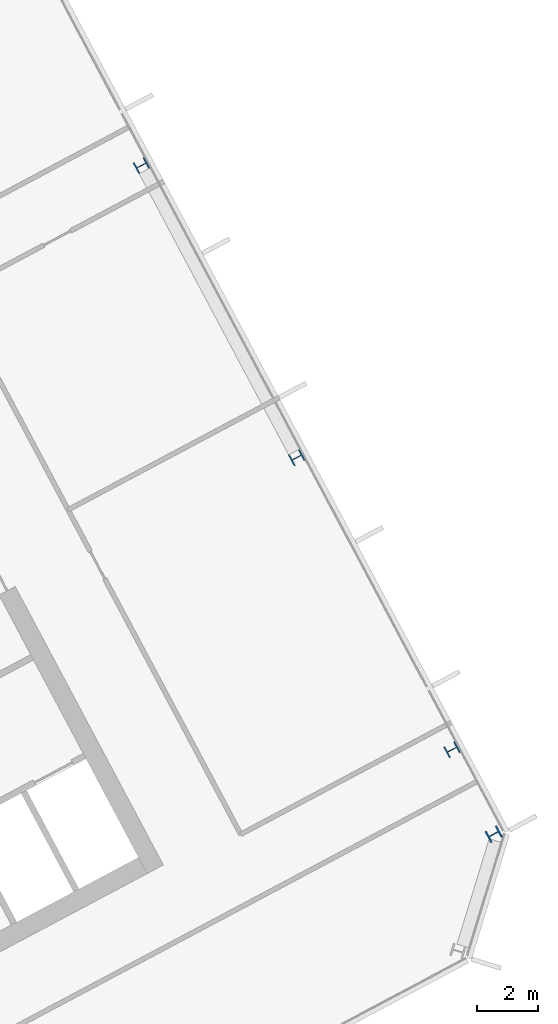
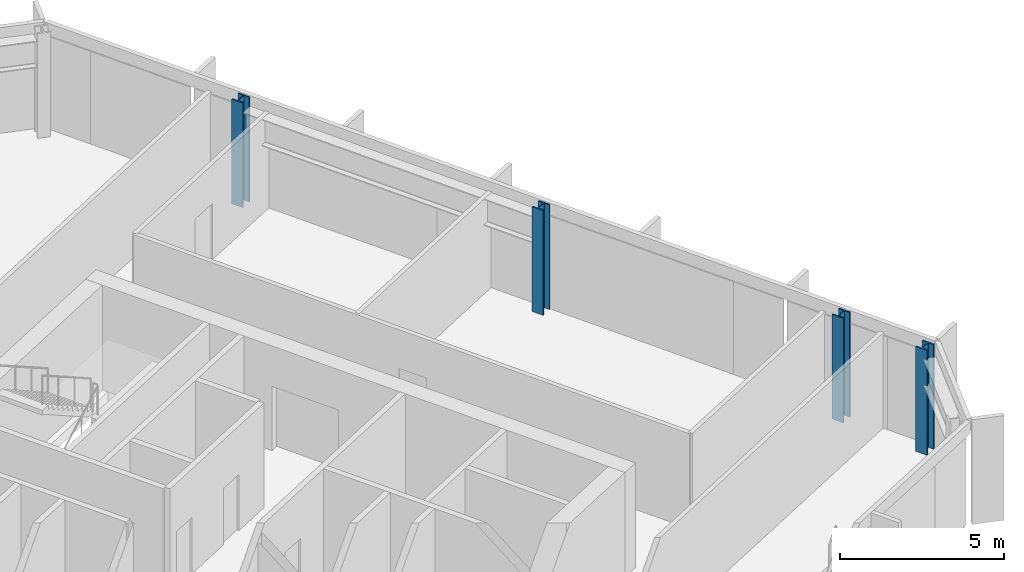
# One storey, part 7 of 27: 4 columns.
"""IFC4 building model written with IfcOpenShell, lengths in metres."""

from ifc_helpers import new_model, si_unit, direction, frame, origin, origin_2d, place, context, subcontext, project, spatial, i_section, extrude, material, material_profile, profile_set, type_object, element, save


model = new_model("IFC4")

# Units and contexts
model_context = context("Model", 3, precision=1e-05, world=origin(), true_north=direction((0.0, 1.0)))
body_context = subcontext(model_context, "Body", "Model", "MODEL_VIEW")
ifc_project = project(units=[si_unit("LENGTHUNIT", "METRE"), si_unit("AREAUNIT", "SQUARE_METRE"), si_unit("VOLUMEUNIT", "CUBIC_METRE"), si_unit("PLANEANGLEUNIT", "RADIAN"), si_unit("MASSUNIT", "GRAM", prefix="KILO")], contexts=[model_context])

# Site, building, storey
site_placement = place(None, origin())
site = spatial("IfcSite", under=ifc_project, at=site_placement, CompositionType="ELEMENT")
building_placement = place(site_placement, origin())
building = spatial("IfcBuilding", under=site, at=building_placement, Name="Cormorant Relay Tower", CompositionType="ELEMENT")
storey_placement = place(building_placement, frame((0.0, 0.0, 216.89990234375)))
storey = spatial("IfcBuildingStorey", under=building, at=storey_placement, Name="L47", CompositionType="ELEMENT", Elevation=216.89990234375)

# Columns
ifc_material_1 = material(Name="Steel ASTM A992 (Fy 345 MPa)", Category="steel")
ifc_material_profile_1 = material_profile(ifc_material_1, i_section(OverallWidth=0.40380859375, OverallDepth=0.406494140625, WebThickness=0.027099609375, FlangeThickness=0.043701171875, FilletRadius=0.01513671875, at=origin_2d()), Name="W360x347")
ifc_profile_set_1 = profile_set([ifc_material_profile_1], Name="Steel ASTM A992 (Fy 345 MPa)")
column_type_1 = type_object("IfcColumnType", Name="Column W360x347", PredefinedType="COLUMN", material=ifc_profile_set_1)
for number, where, z_axis, x_axis, name in (
    (1, (47.26611328125, 12.89990234375, 0.0), (0.0, 0.0, 1.0), (-0.469471562786, 0.882947592859, 0.0), "Column L47-026"),
    (2, (42.196044921875, 22.43603515625, 0.0), (0.0, 0.0, 1.0), (-0.469471562786, 0.882947592859, 0.0), "Column L47-029"),
    (3, (37.1259765625, 31.971923828125, 0.0), (0.0, 0.0, 1.0), (-0.469471562786, 0.882947592859, 0.0), "Column L47-036"),
):
    element("IfcColumn", number, at=place(storey_placement, frame(where, z_axis=z_axis, x_axis=x_axis)), inside=storey, type_object=column_type_1, Name=name, PredefinedType="COLUMN", context=body_context, shape_type="SweptSolid", body=[
        extrude(i_section(OverallWidth=0.40380859375, OverallDepth=0.406494140625, WebThickness=0.027099609375, FlangeThickness=0.043701171875, FilletRadius=0.01513671875, at=origin_2d()), origin(), (0.0, 0.0, 1.0), 3.900146484375),
    ])
ifc_material_2 = material(Name="Steel ASTM A992 (Fy 345 MPa)", Category="steel")
ifc_material_profile_2 = material_profile(ifc_material_2, i_section(OverallWidth=0.41162109375, OverallDepth=0.434326171875, WebThickness=0.035888671875, FlangeThickness=0.057373046875, FilletRadius=0.01513671875, at=origin_2d()), Name="W360x463")
ifc_profile_set_2 = profile_set([ifc_material_profile_2], Name="Steel ASTM A992 (Fy 345 MPa)")
column_type_2 = type_object("IfcColumnType", Name="Column W360x463", PredefinedType="COLUMN", material=ifc_profile_set_2)
column_placement = place(storey_placement, frame((48.6259765625, 10.14208984375, 0.0), z_axis=(0.0, 0.0, 1.0), x_axis=(-0.469471562786, 0.882947592859, 0.0)))
element("IfcColumn", 4, at=column_placement, inside=storey, type_object=column_type_2, Name="Column L47-021", PredefinedType="COLUMN", context=body_context, shape_type="SweptSolid", body=[
    extrude(i_section(OverallWidth=0.41162109375, OverallDepth=0.434326171875, WebThickness=0.035888671875, FlangeThickness=0.057373046875, FilletRadius=0.01513671875, at=origin_2d()), origin(), (0.0, 0.0, 1.0), 3.900146484375),
])

save(model, "model.ifc")
